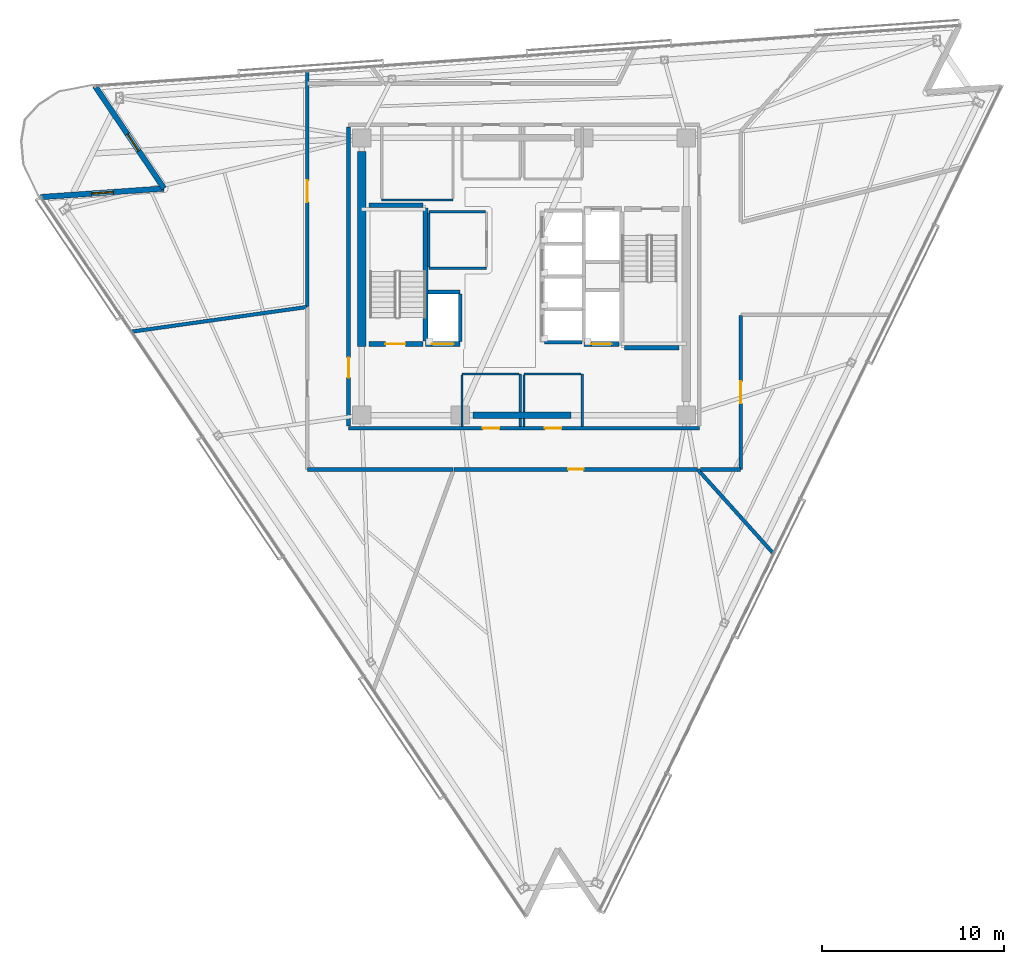
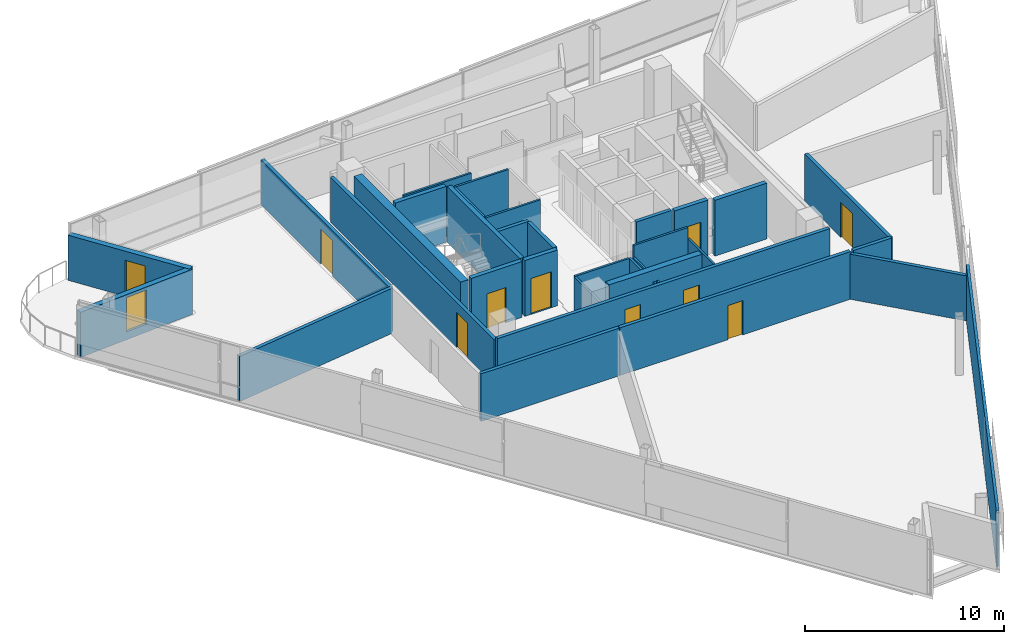
# One storey, part 9 of 16: 35 walls, 10 doors, 1 window, 11 openings.
"""IFC4 building model written with IfcOpenShell, lengths in metres."""

from ifc_helpers import new_model, si_unit, direction, frame, frame_2d, origin, place, context, subcontext, project, spatial, rectangle, extrude, material, layer, layer_set, type_object, element, fill, save


model = new_model("IFC4")

# Units and contexts
model_context = context("Model", 3, precision=1e-05, world=origin(), true_north=direction((0.0, 1.0)))
body_context = subcontext(model_context, "Body", "Model", "MODEL_VIEW")
ifc_project = project(units=[si_unit("LENGTHUNIT", "METRE"), si_unit("AREAUNIT", "SQUARE_METRE"), si_unit("VOLUMEUNIT", "CUBIC_METRE"), si_unit("PLANEANGLEUNIT", "RADIAN"), si_unit("MASSUNIT", "GRAM", prefix="KILO")], contexts=[model_context])

# Site, building, storey
site_placement = place(None, origin())
site = spatial("IfcSite", under=ifc_project, at=site_placement, CompositionType="ELEMENT")
building_placement = place(site_placement, origin())
building = spatial("IfcBuilding", under=site, at=building_placement, Name="Tharavind Bronze Gate", CompositionType="ELEMENT")
storey_placement = place(building_placement, frame((0.0, 0.0, 257.0)))
storey = spatial("IfcBuildingStorey", under=building, at=storey_placement, Name="L66", CompositionType="ELEMENT", Elevation=257.0)

# Wall, opening, door
ifc_material_1 = material(Name="Concrete C40/50", Category="concrete")
ifc_layer_1 = layer(ifc_material_1, 0.300048828125)
ifc_layer_set_1 = layer_set([ifc_layer_1], Name="Concrete C40/50")
wall_type_1 = type_object("IfcWallType", Name="EXTERIOR SPANDREL WALL 300", PredefinedType="STANDARD", material=ifc_layer_set_1)
wall_1_placement = place(storey_placement, frame((-23.52587890625, 10.446044921875, 0.0), z_axis=(0.0, 0.0, 1.0), x_axis=(0.559187716425, -0.829041071238, 0.0)))
wall_1 = element("IfcWall", 1, at=wall_1_placement, inside=storey, type_object=wall_type_1, Name="L66 notch cheek wall 1A", PredefinedType="STANDARD", context=body_context, shape_type="SweptSolid", body=[
    extrude(rectangle(XDim=6.780029296875, YDim=0.300048828125, at=frame_2d((3.39013671875, 0.0))), origin(), (0.0, 0.0, 1.0), 2.764892578125),
])
opening_1_placement = place(wall_1_placement, frame((3.18603515625, 0.0, 0.0)))
opening_1 = element("IfcOpeningElement", 2, at=opening_1_placement, cuts=wall_1, Name="Opening ED04", PredefinedType="OPENING", context=body_context, shape_type="SweptSolid", body=[
    extrude(rectangle(XDim=1.10009765625, YDim=2.199951171875, at=frame_2d((0.550048828125, 1.10009765625))), frame((0.0, 0.15990234375, 0.0), z_axis=(0.0, -1.0, 0.0), x_axis=(1.0, 0.0, 0.0)), (0.0, 0.0, 1.0), 0.320048828125),
])
ifc_material_2 = material(Name="Bronze Aluminium & Toughened Glass", Category="aluminium")
door_type_1 = type_object("IfcDoorType", Name="TREE BALCONY ACCESS DOOR 1100X2200", OperationType="SINGLE_SWING_LEFT", PredefinedType="DOOR", material=ifc_material_2)
door_1_placement = place(opening_1_placement, origin())
door_1 = element("IfcDoor", 3, at=door_1_placement, inside=storey, type_object=door_type_1, Name="L66 tree balcony access door", OperationType="SINGLE_SWING_LEFT", OverallHeight=2.199951171875, OverallWidth=1.10009765625, PredefinedType="DOOR", context=body_context, shape_type="SweptSolid", body=[
    extrude(rectangle(XDim=1.10009765625, YDim=2.199951171875, at=frame_2d((0.550048828125, 1.10009765625))), frame((0.0, 0.02490234375, 0.0), z_axis=(0.0, -1.0, 0.0), x_axis=(1.0, 0.0, 0.0)), (0.0, 0.0, 1.0), 0.050048828125),
])
fill(opening_1, door_1)

# Wall, opening, window
wall_2_placement = place(storey_placement, frame((-19.734619140625, 4.8251953125, 0.0), z_axis=(0.0, 0.0, 1.0), x_axis=(-0.997564507468, -0.06974993506, 0.0)))
wall_2 = element("IfcWall", 4, at=wall_2_placement, inside=storey, type_object=wall_type_1, Name="L66 notch cheek wall 1B", PredefinedType="STANDARD", context=body_context, shape_type="SweptSolid", body=[
    extrude(rectangle(XDim=6.780029296875, YDim=0.300048828125, at=frame_2d((3.39013671875, 0.0))), origin(), (0.0, 0.0, 1.0), 2.764892578125),
])
opening_2_placement = place(wall_2_placement, frame((2.7900390625, 0.0, 0.485107421875)))
opening_2 = element("IfcOpeningElement", 5, at=opening_2_placement, cuts=wall_2, Name="Opening W01", PredefinedType="OPENING", context=body_context, shape_type="SweptSolid", body=[
    extrude(rectangle(XDim=1.199951171875, YDim=2.10009765625, at=frame_2d((0.60009765625, 1.050048828125))), frame((0.0, 0.15990234375, 0.0), z_axis=(0.0, -1.0, 0.0), x_axis=(1.0, 0.0, 0.0)), (0.0, 0.0, 1.0), 0.320048828125),
])
ifc_material_3 = material(Name="Bronze Aluminium & Low-E Glass", Category="aluminium")
window_type = type_object("IfcWindowType", Name="FIXED BRONZE CASEMENT WINDOW 1200X2100", PartitioningType="SINGLE_PANEL", PredefinedType="WINDOW", material=ifc_material_3)
window_placement = place(opening_2_placement, origin())
window = element("IfcWindow", 6, at=window_placement, inside=storey, type_object=window_type, Name="L66 exterior window WL-L66-NCA1-01", OverallHeight=2.10009765625, OverallWidth=1.199951171875, PartitioningType="SINGLE_PANEL", PredefinedType="WINDOW", context=body_context, shape_type="SweptSolid", body=[
    extrude(rectangle(XDim=1.199951171875, YDim=2.10009765625, at=frame_2d((0.60009765625, 1.050048828125))), frame((0.0, 0.030029296875, 0.0), z_axis=(0.0, -1.0, 0.0), x_axis=(1.0, 0.0, 0.0)), (0.0, 0.0, 1.0), 0.06005859375),
])
fill(opening_2, window)

# Wall, openings, doors
ifc_material_4 = material(Name="Aerated Concrete Block", Category="concrete")
ifc_layer_2 = layer(ifc_material_4, 0.199951171875)
ifc_layer_set_2 = layer_set([ifc_layer_2], Name="Aerated Concrete Block")
wall_type_2 = type_object("IfcWallType", Name="FIRE RATED PARTITION 200", PredefinedType="PARTITIONING", material=ifc_layer_set_2)
wall_3_placement = place(storey_placement, frame((-9.6201171875, -8.320068359375, 0.0), z_axis=(0.0, 0.0, 1.0), x_axis=(1.0, 0.0, 0.0)))
wall_3 = element("IfcWall", 7, at=wall_3_placement, inside=storey, type_object=wall_type_2, Name="L66 south core corridor wall", PredefinedType="PARTITIONING", context=body_context, shape_type="SweptSolid", body=[
    extrude(rectangle(XDim=19.240234375, YDim=0.199951171875, at=frame_2d((9.6201171875, 0.0))), origin(), (0.0, 0.0, 1.0), 2.9150390625),
])
opening_3_placement = place(wall_3_placement, frame((7.3701171875, 0.0, 0.0)))
opening_3 = element("IfcOpeningElement", 8, at=opening_3_placement, cuts=wall_3, Name="Opening ID07", PredefinedType="OPENING", context=body_context, shape_type="SweptSolid", body=[
    extrude(rectangle(XDim=0.89990234375, YDim=2.10009765625, at=frame_2d((0.449951171875, 1.050048828125))), frame((0.0, 0.11009765625, 0.0), z_axis=(0.0, -1.0, 0.0), x_axis=(1.0, 0.0, 0.0)), (0.0, 0.0, 1.0), 0.219951171875),
])
opening_4_placement = place(wall_3_placement, frame((10.77001953125, 0.0, 0.0)))
opening_4 = element("IfcOpeningElement", 9, at=opening_4_placement, cuts=wall_3, Name="Opening ID07", PredefinedType="OPENING", context=body_context, shape_type="SweptSolid", body=[
    extrude(rectangle(XDim=0.89990234375, YDim=2.10009765625, at=frame_2d((0.449951171875, 1.050048828125))), frame((0.0, 0.11009765625, 0.0), z_axis=(0.0, -1.0, 0.0), x_axis=(1.0, 0.0, 0.0)), (0.0, 0.0, 1.0), 0.219951171875),
])
ifc_material_5 = material(Name="Galvanised Fire Steel", Category="steel")
door_type_2 = type_object("IfcDoorType", Name="PLANT AND RISER FIRE DOOR 900X2100", OperationType="SINGLE_SWING_LEFT", PredefinedType="DOOR", material=ifc_material_5)
door_2_placement = place(opening_3_placement, frame((0.89990234375, 0.0, 0.0), z_axis=(0.0, 0.0, 1.0), x_axis=(-1.0, 0.0, 0.0)))
door_2 = element("IfcDoor", 10, at=door_2_placement, inside=storey, type_object=door_type_2, Name="L66 Core Archive Store fire door", OperationType="SINGLE_SWING_LEFT", OverallHeight=2.10009765625, OverallWidth=0.89990234375, PredefinedType="DOOR", context=body_context, shape_type="SweptSolid", body=[
    extrude(rectangle(XDim=0.89990234375, YDim=2.10009765625, at=frame_2d((0.449951171875, 1.050048828125))), frame((0.0, 0.02490234375, 0.0), z_axis=(0.0, -1.0, 0.0), x_axis=(1.0, 0.0, 0.0)), (0.0, 0.0, 1.0), 0.050048828125),
])
fill(opening_3, door_2)
door_3_placement = place(opening_4_placement, frame((0.89990234375, 0.0, 0.0), z_axis=(0.0, 0.0, 1.0), x_axis=(-1.0, 0.0, 0.0)))
door_3 = element("IfcDoor", 11, at=door_3_placement, inside=storey, type_object=door_type_2, Name="L66 Core Server Room fire door", OperationType="SINGLE_SWING_LEFT", OverallHeight=2.10009765625, OverallWidth=0.89990234375, PredefinedType="DOOR", context=body_context, shape_type="SweptSolid", body=[
    extrude(rectangle(XDim=0.89990234375, YDim=2.10009765625, at=frame_2d((0.449951171875, 1.050048828125))), frame((0.0, 0.02490234375, 0.0), z_axis=(0.0, -1.0, 0.0), x_axis=(1.0, 0.0, 0.0)), (0.0, 0.0, 1.0), 0.050048828125),
])
fill(opening_4, door_3)

# Wall, opening, door
wall_4_placement = place(storey_placement, frame((-9.6201171875, 8.199951171875, 0.0), z_axis=(0.0, 0.0, 1.0), x_axis=(0.0, -1.0, 0.0)))
wall_4 = element("IfcWall", 12, at=wall_4_placement, inside=storey, type_object=wall_type_2, Name="L66 west core corridor wall", PredefinedType="PARTITIONING", context=body_context, shape_type="SweptSolid", body=[
    extrude(rectangle(XDim=16.39990234375, YDim=0.199951171875, at=frame_2d((8.199951171875, 0.0))), origin(), (0.0, 0.0, 1.0), 2.764892578125),
])
opening_5_placement = place(wall_4_placement, frame((12.64990234375, 0.0, 0.0)))
opening_5 = element("IfcOpeningElement", 13, at=opening_5_placement, cuts=wall_4, Name="Opening ID01", PredefinedType="OPENING", context=body_context, shape_type="SweptSolid", body=[
    extrude(rectangle(XDim=1.10009765625, YDim=2.14990234375, at=frame_2d((0.550048828125, 1.074951171875))), frame((0.0, 0.11009765625, 0.0), z_axis=(0.0, -1.0, 0.0), x_axis=(1.0, 0.0, 0.0)), (0.0, 0.0, 1.0), 0.219951171875),
])
ifc_material_6 = material(Name="Fire-Rated Steel", Category="steel")
door_type_3 = type_object("IfcDoorType", Name="STAIR CORE FIRE DOOR 1100X2150", OperationType="SINGLE_SWING_LEFT", PredefinedType="DOOR", material=ifc_material_6)
door_4_placement = place(opening_5_placement, frame((1.10009765625, 0.0, 0.0), z_axis=(0.0, 0.0, 1.0), x_axis=(-1.0, 0.0, 0.0)))
door_4 = element("IfcDoor", 14, at=door_4_placement, inside=storey, type_object=door_type_3, Name="L66 south west stair lobby fire door", OperationType="SINGLE_SWING_LEFT", OverallHeight=2.14990234375, OverallWidth=1.10009765625, PredefinedType="DOOR", context=body_context, shape_type="SweptSolid", body=[
    extrude(rectangle(XDim=1.10009765625, YDim=2.14990234375, at=frame_2d((0.550048828125, 1.074951171875))), frame((0.0, 0.02490234375, 0.0), z_axis=(0.0, -1.0, 0.0), x_axis=(1.0, 0.0, 0.0)), (0.0, 0.0, 1.0), 0.050048828125),
])
fill(opening_5, door_4)

# Walls
wall_5_placement = place(storey_placement, frame((-21.522216796875, -3.02490234375, 0.0), z_axis=(0.0, 0.0, 1.0), x_axis=(0.990265354778, 0.13919241045, 0.0)))
element("IfcWall", 15, at=wall_5_placement, inside=storey, type_object=wall_type_2, Name="L66 Public Restrooms Block partition", PredefinedType="PARTITIONING", context=body_context, shape_type="SweptSolid", body=[
    extrude(rectangle(XDim=9.708251953125, YDim=0.199951171875, at=frame_2d((4.85400390625, 0.0))), origin(), (0.0, 0.0, 1.0), 2.764892578125),
])
wall_6_placement = place(storey_placement, frame((-11.87939453125, -10.580078125, 0.0), z_axis=(0.0, 0.0, 1.0), x_axis=(1.0, 0.0, 0.0)))
element("IfcWall", 16, at=wall_6_placement, inside=storey, type_object=wall_type_2, Name="L66 Public Restrooms Block partition", PredefinedType="PARTITIONING", context=body_context, shape_type="SweptSolid", body=[
    extrude(rectangle(XDim=7.992919921875, YDim=0.199951171875, at=frame_2d((3.99658203125, 0.0))), origin(), (0.0, 0.0, 1.0), 2.9150390625),
])

# Wall, opening, door
wall_7_placement = place(storey_placement, frame((-3.833251953125, -10.580078125, 0.0), z_axis=(0.0, 0.0, 1.0), x_axis=(1.0, 0.0, 0.0)))
wall_7 = element("IfcWall", 17, at=wall_7_placement, inside=storey, type_object=wall_type_2, Name="L66 Public Restrooms Block partition", PredefinedType="PARTITIONING", context=body_context, shape_type="SweptSolid", body=[
    extrude(rectangle(XDim=13.348388671875, YDim=0.199951171875, at=frame_2d((6.67431640625, 0.0))), origin(), (0.0, 0.0, 1.0), 2.9150390625),
])
opening_6_placement = place(wall_7_placement, frame((6.2490234375, 0.0, 0.0)))
opening_6 = element("IfcOpeningElement", 18, at=opening_6_placement, cuts=wall_7, Name="Opening ID06", PredefinedType="OPENING", context=body_context, shape_type="SweptSolid", body=[
    extrude(rectangle(XDim=0.85009765625, YDim=2.10009765625, at=frame_2d((0.425048828125, 1.050048828125))), frame((0.0, 0.11009765625, 0.0), z_axis=(0.0, -1.0, 0.0), x_axis=(1.0, 0.0, 0.0)), (0.0, 0.0, 1.0), 0.219951171875),
])
ifc_material_7 = material(Name="Moisture-Resistant Timber", Category="wood")
door_type_4 = type_object("IfcDoorType", Name="BATHROOM PRIVACY DOOR 850X2100", OperationType="SINGLE_SWING_RIGHT", PredefinedType="DOOR", material=ifc_material_7)
door_5_placement = place(opening_6_placement, origin())
door_5 = element("IfcDoor", 19, at=door_5_placement, inside=storey, type_object=door_type_4, Name="L66 Public Restrooms Block door", OperationType="SINGLE_SWING_RIGHT", OverallHeight=2.10009765625, OverallWidth=0.85009765625, PredefinedType="DOOR", context=body_context, shape_type="SweptSolid", body=[
    extrude(rectangle(XDim=0.85009765625, YDim=2.10009765625, at=frame_2d((0.425048828125, 1.050048828125))), frame((0.0, 0.02490234375, 0.0), z_axis=(0.0, -1.0, 0.0), x_axis=(1.0, 0.0, 0.0)), (0.0, 0.0, 1.0), 0.050048828125),
])
fill(opening_6, door_5)

# Wall
wall_8_placement = place(storey_placement, frame((9.53369140625, -10.58837890625, 0.0), z_axis=(0.0, 0.0, 1.0), x_axis=(0.669128466379, -0.743146752318, 0.0)))
element("IfcWall", 20, at=wall_8_placement, inside=storey, type_object=wall_type_2, Name="L66 Public Restrooms Block partition", PredefinedType="PARTITIONING", context=body_context, shape_type="SweptSolid", body=[
    extrude(rectangle(XDim=6.177978515625, YDim=0.199951171875, at=frame_2d((3.0888671875, 0.0))), origin(), (0.0, 0.0, 1.0), 2.764892578125),
])

# Wall, opening, door
wall_9_placement = place(storey_placement, frame((-11.8798828125, 11.260498046875, 0.0), z_axis=(0.0, 0.0, 1.0), x_axis=(0.0, -1.0, 0.0)))
wall_9 = element("IfcWall", 21, at=wall_9_placement, inside=storey, type_object=wall_type_2, Name="L66 Board Briefing Room partition", PredefinedType="PARTITIONING", context=body_context, shape_type="SweptSolid", body=[
    extrude(rectangle(XDim=12.908447265625, YDim=0.199951171875, at=frame_2d((6.4541015625, 0.0))), origin(), (0.0, 0.0, 1.0), 2.764892578125),
])
opening_7_placement = place(wall_9_placement, frame((5.98388671875, 0.0, 0.0)))
opening_7 = element("IfcOpeningElement", 22, at=opening_7_placement, cuts=wall_9, Name="Opening ID05", PredefinedType="OPENING", context=body_context, shape_type="SweptSolid", body=[
    extrude(rectangle(XDim=1.199951171875, YDim=2.14990234375, at=frame_2d((0.60009765625, 1.074951171875))), frame((0.0, 0.11009765625, 0.0), z_axis=(0.0, -1.0, 0.0), x_axis=(1.0, 0.0, 0.0)), (0.0, 0.0, 1.0), 0.219951171875),
])
ifc_material_8 = material(Name="Acoustic Laminated Glass", Category="glass")
door_type_5 = type_object("IfcDoorType", Name="MEETING ROOM GLAZED DOOR 1200X2150", OperationType="SINGLE_SWING_LEFT", PredefinedType="DOOR", material=ifc_material_8)
door_6_placement = place(opening_7_placement, origin())
door_6 = element("IfcDoor", 23, at=door_6_placement, inside=storey, type_object=door_type_5, Name="L66 Board Briefing Room door", OperationType="SINGLE_SWING_LEFT", OverallHeight=2.14990234375, OverallWidth=1.199951171875, PredefinedType="DOOR", context=body_context, shape_type="SweptSolid", body=[
    extrude(rectangle(XDim=1.199951171875, YDim=2.14990234375, at=frame_2d((0.60009765625, 1.074951171875))), frame((0.0, 0.02490234375, 0.0), z_axis=(0.0, -1.0, 0.0), x_axis=(1.0, 0.0, 0.0)), (0.0, 0.0, 1.0), 0.050048828125),
])
fill(opening_7, door_6)

wall_10_placement = place(storey_placement, frame((11.8798828125, -10.579345703125, 0.0), z_axis=(0.0, 0.0, 1.0), x_axis=(0.0, 1.0, 0.0)))
wall_10 = element("IfcWall", 24, at=wall_10_placement, inside=storey, type_object=wall_type_2, Name="L66 Executive Lounge partition", PredefinedType="PARTITIONING", context=body_context, shape_type="SweptSolid", body=[
    extrude(rectangle(XDim=8.454345703125, YDim=0.199951171875, at=frame_2d((4.22705078125, 0.0))), origin(), (0.0, 0.0, 1.0), 2.9150390625),
])
opening_8_placement = place(wall_10_placement, frame((3.626953125, 0.0, 0.0)))
opening_8 = element("IfcOpeningElement", 25, at=opening_8_placement, cuts=wall_10, Name="Opening ID05", PredefinedType="OPENING", context=body_context, shape_type="SweptSolid", body=[
    extrude(rectangle(XDim=1.199951171875, YDim=2.14990234375, at=frame_2d((0.60009765625, 1.074951171875))), frame((0.0, 0.11009765625, 0.0), z_axis=(0.0, -1.0, 0.0), x_axis=(1.0, 0.0, 0.0)), (0.0, 0.0, 1.0), 0.219951171875),
])
door_7_placement = place(opening_8_placement, origin())
door_7 = element("IfcDoor", 26, at=door_7_placement, inside=storey, type_object=door_type_5, Name="L66 Executive Lounge door", OperationType="SINGLE_SWING_LEFT", OverallHeight=2.14990234375, OverallWidth=1.199951171875, PredefinedType="DOOR", context=body_context, shape_type="SweptSolid", body=[
    extrude(rectangle(XDim=1.199951171875, YDim=2.14990234375, at=frame_2d((0.60009765625, 1.074951171875))), frame((0.0, 0.02490234375, 0.0), z_axis=(0.0, -1.0, 0.0), x_axis=(1.0, 0.0, 0.0)), (0.0, 0.0, 1.0), 0.050048828125),
])
fill(opening_8, door_7)

# Walls
wall_11_placement = place(storey_placement, frame((9.66748046875, -10.580078125, 0.0), z_axis=(0.0, 0.0, 1.0), x_axis=(1.0, 0.0, 0.0)))
element("IfcWall", 27, at=wall_11_placement, inside=storey, type_object=wall_type_2, Name="L66 Executive Lounge partition", PredefinedType="PARTITIONING", context=body_context, shape_type="SweptSolid", body=[
    extrude(rectangle(XDim=2.2119140625, YDim=0.199951171875, at=frame_2d((1.10595703125, 0.0))), origin(), (0.0, 0.0, 1.0), 2.9150390625),
])
ifc_material_9 = material(Name="Metal Stud Gypsum Partition", Category="gypsum")
ifc_layer_3 = layer(ifc_material_9, 0.1201171875)
ifc_layer_set_3 = layer_set([ifc_layer_3], Name="Metal Stud Gypsum Partition")
wall_type_3 = type_object("IfcWallType", Name="INTERIOR PARTITION WALL 120", PredefinedType="PARTITIONING", material=ifc_layer_set_3)
wall_12_placement = place(storey_placement, frame((-5.219970703125, 0.449951171875, 0.0), z_axis=(0.0, 0.0, 1.0), x_axis=(1.0, 0.0, 0.0)))
element("IfcWall", 28, at=wall_12_placement, inside=storey, type_object=wall_type_3, Name="L66 Electrical & Telecom Store partition 1", PredefinedType="PARTITIONING", context=body_context, shape_type="SweptSolid", body=[
    extrude(rectangle(XDim=3.169921875, YDim=0.1201171875, at=frame_2d((1.5849609375, 0.0))), origin(), (0.0, 0.0, 1.0), 3.419921875),
])
wall_13_placement = place(storey_placement, frame((-2.114990234375, 3.550048828125, 0.0), z_axis=(0.0, 0.0, 1.0), x_axis=(-1.0, 0.0, 0.0)))
element("IfcWall", 29, at=wall_13_placement, inside=storey, type_object=wall_type_3, Name="L66 Electrical & Telecom Store partition 3", PredefinedType="PARTITIONING", context=body_context, shape_type="SweptSolid", body=[
    extrude(rectangle(XDim=3.10498046875, YDim=0.1201171875, at=frame_2d((1.552490234375, 0.0))), origin(), (0.0, 0.0, 1.0), 3.419921875),
])
wall_14_placement = place(storey_placement, frame((-5.219970703125, 3.485107421875, 0.0), z_axis=(0.0, 0.0, 1.0), x_axis=(0.0, -1.0, 0.0)))
element("IfcWall", 30, at=wall_14_placement, inside=storey, type_object=wall_type_3, Name="L66 Electrical & Telecom Store partition 4", PredefinedType="PARTITIONING", context=body_context, shape_type="SweptSolid", body=[
    extrude(rectangle(XDim=2.97021484375, YDim=0.1201171875, at=frame_2d((1.485107421875, 0.0))), origin(), (0.0, 0.0, 1.0), 3.419921875),
])
wall_15_placement = place(storey_placement, frame((-0.199951171875, -8.215087890625, 0.0), z_axis=(0.0, 0.0, 1.0), x_axis=(0.0, 1.0, 0.0)))
element("IfcWall", 31, at=wall_15_placement, inside=storey, type_object=wall_type_3, Name="L66 Core Archive Store partition 2", PredefinedType="PARTITIONING", context=body_context, shape_type="SweptSolid", body=[
    extrude(rectangle(XDim=0.43505859375, YDim=0.1201171875, at=frame_2d((0.217529296875, 0.0))), origin(), (0.0, 0.0, 1.0), 2.715087890625),
])
wall_16_placement = place(storey_placement, frame((-0.199951171875, -7.419921875, 0.0), z_axis=(0.0, 0.0, 1.0), x_axis=(0.0, 1.0, 0.0)))
element("IfcWall", 32, at=wall_16_placement, inside=storey, type_object=wall_type_3, Name="L66 Core Archive Store partition 2", PredefinedType="PARTITIONING", context=body_context, shape_type="SweptSolid", body=[
    extrude(rectangle(XDim=2.06982421875, YDim=0.1201171875, at=frame_2d((1.034912109375, 0.0))), origin(), (0.0, 0.0, 1.0), 2.715087890625),
])
wall_17_placement = place(storey_placement, frame((-0.264892578125, -5.35009765625, 0.0), z_axis=(0.0, 0.0, 1.0), x_axis=(-1.0, 0.0, 0.0)))
element("IfcWall", 33, at=wall_17_placement, inside=storey, type_object=wall_type_3, Name="L66 Core Archive Store partition 3", PredefinedType="PARTITIONING", context=body_context, shape_type="SweptSolid", body=[
    extrude(rectangle(XDim=3.135009765625, YDim=0.1201171875, at=frame_2d((1.5673828125, 0.0))), origin(), (0.0, 0.0, 1.0), 2.715087890625),
])
wall_18_placement = place(storey_placement, frame((-3.39990234375, -5.4150390625, 0.0), z_axis=(0.0, 0.0, 1.0), x_axis=(0.0, -1.0, 0.0)))
element("IfcWall", 34, at=wall_18_placement, inside=storey, type_object=wall_type_3, Name="L66 Core Archive Store partition 4", PredefinedType="PARTITIONING", context=body_context, shape_type="SweptSolid", body=[
    extrude(rectangle(XDim=2.800048828125, YDim=0.1201171875, at=frame_2d((1.39990234375, 0.0))), origin(), (0.0, 0.0, 1.0), 2.715087890625),
])
wall_19_placement = place(storey_placement, frame((3.199951171875, -8.215087890625, 0.0), z_axis=(0.0, 0.0, 1.0), x_axis=(0.0, 1.0, 0.0)))
element("IfcWall", 35, at=wall_19_placement, inside=storey, type_object=wall_type_3, Name="L66 Core Server Room partition 2", PredefinedType="PARTITIONING", context=body_context, shape_type="SweptSolid", body=[
    extrude(rectangle(XDim=2.864990234375, YDim=0.1201171875, at=frame_2d((1.4326171875, 0.0))), origin(), (0.0, 0.0, 1.0), 2.715087890625),
])
wall_20_placement = place(storey_placement, frame((3.135009765625, -5.35009765625, 0.0), z_axis=(0.0, 0.0, 1.0), x_axis=(-1.0, 0.0, 0.0)))
element("IfcWall", 36, at=wall_20_placement, inside=storey, type_object=wall_type_3, Name="L66 Core Server Room partition 3", PredefinedType="PARTITIONING", context=body_context, shape_type="SweptSolid", body=[
    extrude(rectangle(XDim=3.135009765625, YDim=0.1201171875, at=frame_2d((1.5673828125, 0.0))), origin(), (0.0, 0.0, 1.0), 3.419921875),
])
wall_21_placement = place(storey_placement, frame((0.0, -5.4150390625, 0.0), z_axis=(0.0, 0.0, 1.0), x_axis=(0.0, -1.0, 0.0)))
element("IfcWall", 37, at=wall_21_placement, inside=storey, type_object=wall_type_3, Name="L66 Core Server Room partition 4", PredefinedType="PARTITIONING", context=body_context, shape_type="SweptSolid", body=[
    extrude(rectangle(XDim=2.0048828125, YDim=0.1201171875, at=frame_2d((1.00244140625, 0.0))), origin(), (0.0, 0.0, 1.0), 2.715087890625),
])
wall_22_placement = place(storey_placement, frame((0.0, -7.780029296875, 0.0), z_axis=(0.0, 0.0, 1.0), x_axis=(0.0, -1.0, 0.0)))
element("IfcWall", 38, at=wall_22_placement, inside=storey, type_object=wall_type_3, Name="L66 Core Server Room partition 4", PredefinedType="PARTITIONING", context=body_context, shape_type="SweptSolid", body=[
    extrude(rectangle(XDim=0.43505859375, YDim=0.1201171875, at=frame_2d((0.217529296875, 0.0))), origin(), (0.0, 0.0, 1.0), 2.715087890625),
])
wall_23_placement = place(storey_placement, frame((-7.800048828125, 4.199951171875, 0.0), z_axis=(0.0, 0.0, 1.0), x_axis=(1.0, 0.0, 0.0)))
element("IfcWall", 39, at=wall_23_placement, inside=storey, type_object=wall_type_3, Name="L66 Electrical Switch Room partition 1", PredefinedType="PARTITIONING", context=body_context, shape_type="SweptSolid", body=[
    extrude(rectangle(XDim=3.900146484375, YDim=0.1201171875, at=frame_2d((1.9501953125, 0.0))), origin(), (0.0, 0.0, 1.0), 3.419921875),
])
ifc_material_10 = material(Name="Twin Stud Acoustic Gypsum", Category="gypsum")
ifc_layer_4 = layer(ifc_material_10, 0.14990234375)
ifc_layer_set_4 = layer_set([ifc_layer_4], Name="Twin Stud Acoustic Gypsum")
wall_type_4 = type_object("IfcWallType", Name="INTERIOR PARTITION WALL 150", PredefinedType="PARTITIONING", material=ifc_layer_set_4)
wall_24_placement = place(storey_placement, frame((13.67138671875, -15.20703125, 0.0), z_axis=(0.0, 0.0, 1.0), x_axis=(-0.438371022135, -0.898794107097, 0.0)))
element("IfcWall", 40, at=wall_24_placement, inside=storey, type_object=wall_type_4, Name="L66 Public Restrooms Block partition", PredefinedType="PARTITIONING", context=body_context, shape_type="SweptSolid", body=[
    extrude(rectangle(XDim=21.57763671875, YDim=0.14990234375, at=frame_2d((10.788818359375, 0.0))), origin(), (0.0, 0.0, 1.0), 3.419921875),
])
ifc_material_11 = material(Name="Concrete C50/60", Category="concrete")
ifc_layer_5 = layer(ifc_material_11, 0.25)
ifc_layer_set_5 = layer_set([ifc_layer_5], Name="Concrete C50/60")
wall_type_5 = type_object("IfcWallType", Name="RC CORE SHEAR WALL 250", PredefinedType="SHEAR", material=ifc_layer_set_5)
wall_25_placement = place(storey_placement, frame((-5.39990234375, -3.550048828125, 0.0), z_axis=(0.0, 0.0, 1.0), x_axis=(0.0, 1.0, 0.0)))
element("IfcWall", 41, at=wall_25_placement, inside=storey, type_object=wall_type_5, Name="L66 ST1 shaft east wall", PredefinedType="SHEAR", context=body_context, shape_type="SweptSolid", body=[
    extrude(rectangle(XDim=7.300048828125, YDim=0.25, at=frame_2d((3.64990234375, 0.0))), origin(), (0.0, 0.0, 1.0), 3.419921875),
])

# Wall, opening, door
wall_26_placement = place(storey_placement, frame((-8.5, -3.699951171875, 0.0), z_axis=(0.0, 0.0, 1.0), x_axis=(1.0, 0.0, 0.0)))
wall_26 = element("IfcWall", 42, at=wall_26_placement, inside=storey, type_object=wall_type_5, Name="L66 ST1 shaft south wall", PredefinedType="SHEAR", context=body_context, shape_type="SweptSolid", body=[
    extrude(rectangle(XDim=2.949951171875, YDim=0.25, at=frame_2d((1.47509765625, 0.0))), origin(), (0.0, 0.0, 1.0), 3.419921875),
])
opening_9_placement = place(wall_26_placement, frame((0.89990234375, 0.0, 0.0)))
opening_9 = element("IfcOpeningElement", 43, at=opening_9_placement, cuts=wall_26, Name="Opening ID01", PredefinedType="OPENING", context=body_context, shape_type="SweptSolid", body=[
    extrude(rectangle(XDim=1.10009765625, YDim=2.14990234375, at=frame_2d((0.550048828125, 1.074951171875))), frame((0.0, 0.135, 0.0), z_axis=(0.0, -1.0, 0.0), x_axis=(1.0, 0.0, 0.0)), (0.0, 0.0, 1.0), 0.27),
])
door_8_placement = place(opening_9_placement, origin())
door_8 = element("IfcDoor", 44, at=door_8_placement, inside=storey, type_object=door_type_3, Name="L66 exit stair ST1 fire door", OperationType="SINGLE_SWING_LEFT", OverallHeight=2.14990234375, OverallWidth=1.10009765625, PredefinedType="DOOR", context=body_context, shape_type="SweptSolid", body=[
    extrude(rectangle(XDim=1.10009765625, YDim=2.14990234375, at=frame_2d((0.550048828125, 1.074951171875))), frame((0.0, 0.02490234375, 0.0), z_axis=(0.0, -1.0, 0.0), x_axis=(1.0, 0.0, 0.0)), (0.0, 0.0, 1.0), 0.050048828125),
])
fill(opening_9, door_8)

# Walls
wall_27_placement = place(storey_placement, frame((-8.5, 3.89990234375, 0.0), z_axis=(0.0, 0.0, 1.0), x_axis=(1.0, 0.0, 0.0)))
element("IfcWall", 45, at=wall_27_placement, inside=storey, type_object=wall_type_5, Name="L66 ST1 shaft north wall", PredefinedType="SHEAR", context=body_context, shape_type="SweptSolid", body=[
    extrude(rectangle(XDim=2.949951171875, YDim=0.25, at=frame_2d((1.47509765625, 0.0))), origin(), (0.0, 0.0, 1.0), 3.419921875),
])
wall_28_placement = place(storey_placement, frame((5.5, -3.89990234375, 0.0), z_axis=(0.0, 0.0, 1.0), x_axis=(1.0, 0.0, 0.0)))
element("IfcWall", 46, at=wall_28_placement, inside=storey, type_object=wall_type_5, Name="L66 ST2 shaft south wall", PredefinedType="SHEAR", context=body_context, shape_type="SweptSolid", body=[
    extrude(rectangle(XDim=3.0, YDim=0.25, at=frame_2d((1.5, 0.0))), origin(), (0.0, 0.0, 1.0), 3.419921875),
])

# Wall, opening, door
wall_29_placement = place(storey_placement, frame((-5.39990234375, -3.699951171875, 0.0), z_axis=(0.0, 0.0, 1.0), x_axis=(1.0, 0.0, 0.0)))
wall_29 = element("IfcWall", 47, at=wall_29_placement, inside=storey, type_object=wall_type_5, Name="L66 lift FFL1 shaft front wall", PredefinedType="SHEAR", context=body_context, shape_type="SweptSolid", body=[
    extrude(rectangle(XDim=1.89990234375, YDim=0.25, at=frame_2d((0.949951171875, 0.0))), origin(), (0.0, 0.0, 1.0), 3.419921875),
])
opening_10_placement = place(wall_29_placement, frame((0.35009765625, 0.0, 0.0)))
opening_10 = element("IfcOpeningElement", 48, at=opening_10_placement, cuts=wall_29, Name="Opening LD02", PredefinedType="OPENING", context=body_context, shape_type="SweptSolid", body=[
    extrude(rectangle(XDim=1.199951171875, YDim=2.199951171875, at=frame_2d((0.60009765625, 1.10009765625))), frame((0.0, 0.135, 0.0), z_axis=(0.0, -1.0, 0.0), x_axis=(1.0, 0.0, 0.0)), (0.0, 0.0, 1.0), 0.27),
])
ifc_material_12 = material(Name="Brushed Stainless Steel", Category="steel")
door_type_6 = type_object("IfcDoorType", Name="FIREFIGHTING LIFT LANDING DOOR 1200X2200", OperationType="SLIDING_TO_RIGHT", PredefinedType="DOOR", material=ifc_material_12)
door_9_placement = place(opening_10_placement, origin())
door_9 = element("IfcDoor", 49, at=door_9_placement, inside=storey, type_object=door_type_6, Name="L66 lift FFL1 sliding landing door", OperationType="SLIDING_TO_RIGHT", OverallHeight=2.199951171875, OverallWidth=1.199951171875, PredefinedType="DOOR", context=body_context, shape_type="SweptSolid", body=[
    extrude(rectangle(XDim=1.199951171875, YDim=2.199951171875, at=frame_2d((0.60009765625, 1.10009765625))), frame((0.0, 0.02490234375, 0.0), z_axis=(0.0, -1.0, 0.0), x_axis=(1.0, 0.0, 0.0)), (0.0, 0.0, 1.0), 0.050048828125),
])
fill(opening_10, door_9)

wall_30_placement = place(storey_placement, frame((3.280029296875, -3.699951171875, 0.0), z_axis=(0.0, 0.0, 1.0), x_axis=(1.0, 0.0, 0.0)))
wall_30 = element("IfcWall", 50, at=wall_30_placement, inside=storey, type_object=wall_type_5, Name="L66 lift SVL1 shaft front wall", PredefinedType="SHEAR", context=body_context, shape_type="SweptSolid", body=[
    extrude(rectangle(XDim=1.93994140625, YDim=0.25, at=frame_2d((0.969970703125, 0.0))), origin(), (0.0, 0.0, 1.0), 3.419921875),
])
opening_11_placement = place(wall_30_placement, frame((0.419921875, 0.0, 0.0)))
opening_11 = element("IfcOpeningElement", 51, at=opening_11_placement, cuts=wall_30, Name="Opening LD01", PredefinedType="OPENING", context=body_context, shape_type="SweptSolid", body=[
    extrude(rectangle(XDim=1.10009765625, YDim=2.199951171875, at=frame_2d((0.550048828125, 1.10009765625))), frame((0.0, 0.135, 0.0), z_axis=(0.0, -1.0, 0.0), x_axis=(1.0, 0.0, 0.0)), (0.0, 0.0, 1.0), 0.27),
])
ifc_material_13 = material(Name="Brushed Bronze Stainless Steel", Category="steel")
door_type_7 = type_object("IfcDoorType", Name="LIFT LANDING SLIDING DOOR 1100X2200", OperationType="SLIDING_TO_LEFT", PredefinedType="DOOR", material=ifc_material_13)
door_10_placement = place(opening_11_placement, origin())
door_10 = element("IfcDoor", 52, at=door_10_placement, inside=storey, type_object=door_type_7, Name="L66 lift SVL1 sliding landing door", OperationType="SLIDING_TO_LEFT", OverallHeight=2.199951171875, OverallWidth=1.10009765625, PredefinedType="DOOR", context=body_context, shape_type="SweptSolid", body=[
    extrude(rectangle(XDim=1.10009765625, YDim=2.199951171875, at=frame_2d((0.550048828125, 1.10009765625))), frame((0.0, 0.02490234375, 0.0), z_axis=(0.0, -1.0, 0.0), x_axis=(1.0, 0.0, 0.0)), (0.0, 0.0, 1.0), 0.050048828125),
])
fill(opening_11, door_10)

# Walls
ifc_layer_6 = layer(ifc_material_11, 0.35009765625)
ifc_layer_set_6 = layer_set([ifc_layer_6], Name="Concrete C50/60")
wall_type_6 = type_object("IfcWallType", Name="RC CORE SHEAR WALL 350", PredefinedType="SHEAR", material=ifc_layer_set_6)
wall_31_placement = place(storey_placement, frame((-2.800048828125, -7.60009765625, 0.0), z_axis=(0.0, 0.0, 1.0), x_axis=(1.0, 0.0, 0.0)))
element("IfcWall", 53, at=wall_31_placement, inside=storey, type_object=wall_type_6, Name="L66 south core shear wall", PredefinedType="SHEAR", context=body_context, shape_type="SweptSolid", body=[
    extrude(rectangle(XDim=5.380126953125, YDim=0.35009765625, at=frame_2d((2.68994140625, 0.0))), origin(), (0.0, 0.0, 1.0), 3.419921875),
])
ifc_material_14 = material(Name="Concrete C60/75", Category="concrete")
ifc_layer_7 = layer(ifc_material_14, 0.449951171875)
ifc_layer_set_7 = layer_set([ifc_layer_7], Name="Concrete C60/75")
wall_type_7 = type_object("IfcWallType", Name="RC CORE SHEAR WALL 450", PredefinedType="SHEAR", material=ifc_layer_set_7)
wall_32_placement = place(storey_placement, frame((-8.89990234375, -3.85009765625, 0.0), z_axis=(0.0, 0.0, 1.0), x_axis=(0.0, 1.0, 0.0)))
element("IfcWall", 54, at=wall_32_placement, inside=storey, type_object=wall_type_7, Name="L66 west core shear wall", PredefinedType="SHEAR", context=body_context, shape_type="SweptSolid", body=[
    extrude(rectangle(XDim=10.7001953125, YDim=0.449951171875, at=frame_2d((5.35009765625, 0.0))), origin(), (0.0, 0.0, 1.0), 3.419921875),
])
ifc_layer_8 = layer(ifc_material_1, 0.199951171875)
ifc_layer_set_8 = layer_set([ifc_layer_8], Name="Concrete C40/50")
wall_type_8 = type_object("IfcWallType", Name="SHAFT ENCLOSURE WALL 200", PredefinedType="PARTITIONING", material=ifc_layer_set_8)
wall_33_placement = place(storey_placement, frame((1.1298828125, -3.60009765625, 0.0), z_axis=(0.0, 0.0, 1.0), x_axis=(1.0, 0.0, 0.0)))
element("IfcWall", 55, at=wall_33_placement, inside=storey, type_object=wall_type_8, Name="L66 lift PL9 shaft S enclosure wall", PredefinedType="PARTITIONING", context=body_context, shape_type="SweptSolid", body=[
    extrude(rectangle(XDim=2.045166015625, YDim=0.199951171875, at=frame_2d((1.0224609375, 0.0))), origin(), (0.0, 0.0, 1.0), 3.419921875),
])
wall_34_placement = place(storey_placement, frame((-5.27001953125, -0.85009765625, 0.0), z_axis=(0.0, 0.0, 1.0), x_axis=(1.0, 0.0, 0.0)))
element("IfcWall", 56, at=wall_34_placement, inside=storey, type_object=wall_type_8, Name="L66 lift FFL1 shaft N enclosure wall", PredefinedType="PARTITIONING", context=body_context, shape_type="SweptSolid", body=[
    extrude(rectangle(XDim=1.77001953125, YDim=0.199951171875, at=frame_2d((0.885009765625, 0.0))), origin(), (0.0, 0.0, 1.0), 3.419921875),
])
wall_35_placement = place(storey_placement, frame((-3.5, -3.570068359375, 0.0), z_axis=(0.0, 0.0, 1.0), x_axis=(0.0, 1.0, 0.0)))
element("IfcWall", 57, at=wall_35_placement, inside=storey, type_object=wall_type_8, Name="L66 lift FFL1 shaft E enclosure wall", PredefinedType="PARTITIONING", context=body_context, shape_type="SweptSolid", body=[
    extrude(rectangle(XDim=2.614990234375, YDim=0.199951171875, at=frame_2d((1.3076171875, 0.0))), origin(), (0.0, 0.0, 1.0), 3.419921875),
])

save(model, "model.ifc")
